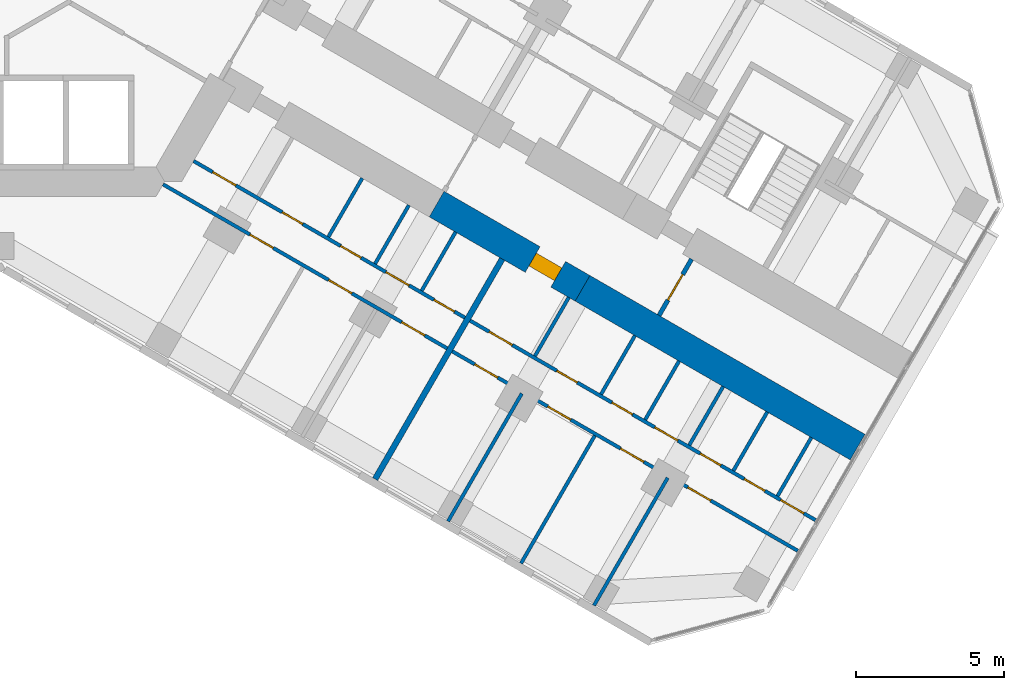
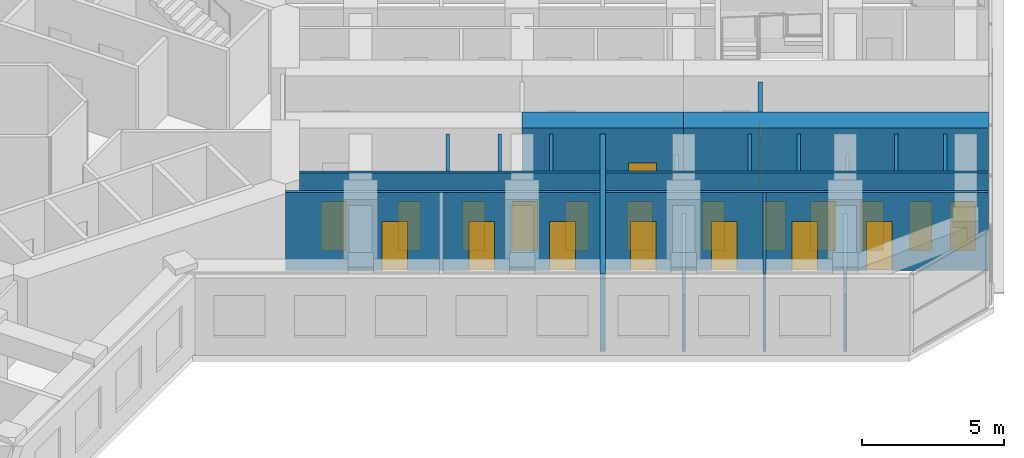
# One storey, part 14 of 21: 21 doors, 20 walls, 21 openings.
"""IFC4 building model written with IfcOpenShell, lengths in metres."""

from ifc_helpers import new_model, si_unit, direction, frame, frame_2d, origin, place, context, subcontext, project, spatial, rectangle, extrude, material, layer, layer_set, type_object, element, fill, save


model = new_model("IFC4")

# Units and contexts
model_context = context("Model", 3, precision=1e-05, world=origin(), true_north=direction((0.0, 1.0)))
body_context = subcontext(model_context, "Body", "Model", "MODEL_VIEW")
ifc_project = project(units=[si_unit("LENGTHUNIT", "METRE"), si_unit("AREAUNIT", "SQUARE_METRE"), si_unit("VOLUMEUNIT", "CUBIC_METRE"), si_unit("PLANEANGLEUNIT", "RADIAN"), si_unit("MASSUNIT", "GRAM", prefix="KILO")], contexts=[model_context])

# Site, building, storey
site_placement = place(None, origin())
site = spatial("IfcSite", under=ifc_project, at=site_placement, CompositionType="ELEMENT")
building_placement = place(site_placement, origin())
building = spatial("IfcBuilding", under=site, at=building_placement, Name="Kosmar Iwan School Tower", CompositionType="ELEMENT")
storey_placement = place(building_placement, frame((0.0, 0.0, 106.0)))
storey = spatial("IfcBuildingStorey", under=building, at=storey_placement, Name="L26", CompositionType="ELEMENT", Elevation=106.0)

# Wall, opening, door
ifc_material_1 = material(Name="Concrete C50/60", Category="concrete")
ifc_layer_1 = layer(ifc_material_1, 1.0)
ifc_layer_set_1 = layer_set([ifc_layer_1], Name="Corridor buttress wall 1000")
wall_type_1 = type_object("IfcWallType", Name="Corridor buttress wall 1000", PredefinedType="SHEAR", material=ifc_layer_set_1)
wall_1_placement = place(storey_placement, frame((14.7451171875, -10.360595703125, 0.0), z_axis=(0.0, 0.0, 1.0), x_axis=(0.866015111908, -0.50001782563, 0.0)))
wall_1 = element("IfcWall", 1, at=wall_1_placement, inside=storey, type_object=wall_type_1, Name="Corridor wall CR bay 2", PredefinedType="SHEAR", context=body_context, shape_type="SweptSolid", body=[
    extrude(rectangle(XDim=5.699951171875, YDim=1.0, at=frame_2d((2.85009765625, 0.0))), origin(), (0.0, 0.0, 1.0), 3.60009765625),
])
opening_1_placement = place(wall_1_placement, frame((3.75, 0.0, 0.0)))
opening_1 = element("IfcOpeningElement", 2, at=opening_1_placement, cuts=wall_1, Name="Opening D1", PredefinedType="OPENING", context=body_context, shape_type="SweptSolid", body=[
    extrude(rectangle(XDim=1.0, YDim=2.10009765625, at=frame_2d((0.5, 1.050048828125))), frame((0.0, 0.511962890625, 0.0), z_axis=(0.0, -1.0, 0.0), x_axis=(1.0, 0.0, 0.0)), (0.0, 0.0, 1.0), 1.02392578125),
])
ifc_material_2 = material(Name="Timber fire door in steel frame", Category="steel")
door_type_1 = type_object("IfcDoorType", Name="Flat entrance door 1000x2100", OperationType="SINGLE_SWING_LEFT", PredefinedType="DOOR", material=ifc_material_2)
door_1_placement = place(opening_1_placement, origin())
door_1 = element("IfcDoor", 3, at=door_1_placement, inside=storey, type_object=door_type_1, Name="Flat L26-CR2 entrance door", OperationType="SINGLE_SWING_RIGHT", OverallHeight=2.10009765625, OverallWidth=1.0, PredefinedType="DOOR", context=body_context, shape_type="SweptSolid", body=[
    extrude(rectangle(XDim=1.0, YDim=2.10009765625, at=frame_2d((0.5, 1.050048828125))), frame((0.0, 0.25, 0.0), z_axis=(0.0, -1.0, 0.0), x_axis=(1.0, 0.0, 0.0)), (0.0, 0.0, 1.0), 0.5),
])
fill(opening_1, door_1)

# Wall
wall_2_placement = place(storey_placement, frame((19.681396484375, -13.210693359375, 0.0), z_axis=(0.0, 0.0, 1.0), x_axis=(0.866028186671, -0.499995179869, 0.0)))
element("IfcWall", 4, at=wall_2_placement, inside=storey, type_object=wall_type_1, Name="Corridor wall CR bay 3", PredefinedType="SHEAR", context=body_context, shape_type="SweptSolid", body=[
    extrude(rectangle(XDim=10.7451171875, YDim=1.0, at=frame_2d((5.37255859375, 0.0))), origin(), (0.0, 0.0, 1.0), 3.60009765625),
])

# Wall, opening, door
ifc_material_3 = material(Name="Gypsum board on steel studs, fire-rated", Category="steel")
ifc_layer_2 = layer(ifc_material_3, 0.14990234375)
ifc_layer_set_2 = layer_set([ifc_layer_2], Name="Corridor end wall 150")
wall_type_2 = type_object("IfcWallType", Name="Corridor end wall 150", PredefinedType="PARTITIONING", material=ifc_layer_set_2)
wall_3_placement = place(storey_placement, frame((22.269775390625, -14.127685546875, 0.0), z_axis=(0.0, 0.0, 1.0), x_axis=(0.50002983664, 0.866008176907, 0.0)))
wall_3 = element("IfcWall", 5, at=wall_3_placement, inside=storey, type_object=wall_type_2, Name="Partition L26-C-CE", PredefinedType="PARTITIONING", context=body_context, shape_type="SweptSolid", body=[
    extrude(rectangle(XDim=2.199951171875, YDim=0.14990234375, at=frame_2d((1.10009765625, 0.0))), origin(), (0.0, 0.0, 1.0), 3.35009765625),
])
opening_2_placement = place(wall_3_placement, frame((0.60009765625, 0.0, 0.0)))
opening_2 = element("IfcOpeningElement", 6, at=opening_2_placement, cuts=wall_3, Name="Opening D13", PredefinedType="OPENING", context=body_context, shape_type="SweptSolid", body=[
    extrude(rectangle(XDim=1.0, YDim=2.10009765625, at=frame_2d((0.5, 1.050048828125))), frame((0.0, 0.0869140625, 0.0), z_axis=(0.0, -1.0, 0.0), x_axis=(1.0, 0.0, 0.0)), (0.0, 0.0, 1.0), 0.173828125),
])
ifc_material_4 = material(Name="Timber fire door with vision panel", Category="wood")
door_type_2 = type_object("IfcDoorType", Name="Corridor end door 1000x2100", OperationType="SINGLE_SWING_LEFT", PredefinedType="DOOR", material=ifc_material_4)
door_2_placement = place(opening_2_placement, origin())
door_2 = element("IfcDoor", 7, at=door_2_placement, inside=storey, type_object=door_type_2, Name="Hobby workshop door L26-C", OperationType="SINGLE_SWING_RIGHT", OverallHeight=2.10009765625, OverallWidth=1.0, PredefinedType="DOOR", context=body_context, shape_type="SweptSolid", body=[
    extrude(rectangle(XDim=1.0, YDim=2.10009765625, at=frame_2d((0.5, 1.050048828125))), frame((0.0, 0.02490234375, 0.0), z_axis=(0.0, -1.0, 0.0), x_axis=(1.0, 0.0, 0.0)), (0.0, 0.0, 1.0), 0.050048828125),
])
fill(opening_2, door_2)

# Wall, openings, doors
ifc_material_5 = material(Name="Gypsum board on steel studs", Category="steel")
ifc_layer_3 = layer(ifc_material_5, 0.1201171875)
ifc_layer_set_3 = layer_set([ifc_layer_3], Name="Dwelling partition 120")
wall_type_3 = type_object("IfcWallType", Name="Dwelling partition 120", PredefinedType="PARTITIONING", material=ifc_layer_set_3)
wall_4_placement = place(storey_placement, frame((6.521728515625, -8.90380859375, 0.0), z_axis=(0.0, 0.0, 1.0), x_axis=(0.866024879913, -0.50000090737, 0.0)))
wall_4 = element("IfcWall", 8, at=wall_4_placement, inside=storey, type_object=wall_type_3, Name="Partition L26-CR1-W1", PredefinedType="PARTITIONING", context=body_context, shape_type="SweptSolid", body=[
    extrude(rectangle(XDim=10.60009765625, YDim=0.1201171875, at=frame_2d((5.300048828125, 0.0))), origin(), (0.0, 0.0, 1.0), 3.35009765625),
])
opening_3_placement = place(wall_4_placement, frame((0.75, 0.0, 0.0)))
opening_3 = element("IfcOpeningElement", 9, at=opening_3_placement, cuts=wall_4, Name="Opening D2", PredefinedType="OPENING", context=body_context, shape_type="SweptSolid", body=[
    extrude(rectangle(XDim=0.89990234375, YDim=2.10009765625, at=frame_2d((0.449951171875, 1.050048828125))), frame((0.0, 0.072021484375, 0.0), z_axis=(0.0, -1.0, 0.0), x_axis=(1.0, 0.0, 0.0)), (0.0, 0.0, 1.0), 0.14404296875),
])
opening_4_placement = place(wall_4_placement, frame((3.466796875, 0.0, 0.0)))
opening_4 = element("IfcOpeningElement", 10, at=opening_4_placement, cuts=wall_4, Name="Opening D3", PredefinedType="OPENING", context=body_context, shape_type="SweptSolid", body=[
    extrude(rectangle(XDim=0.800048828125, YDim=2.10009765625, at=frame_2d((0.39990234375, 1.050048828125))), frame((0.0, 0.072021484375, 0.0), z_axis=(0.0, -1.0, 0.0), x_axis=(1.0, 0.0, 0.0)), (0.0, 0.0, 1.0), 0.14404296875),
])
opening_5_placement = place(wall_4_placement, frame((5.744384765625, 0.0, 0.0)))
opening_5 = element("IfcOpeningElement", 11, at=opening_5_placement, cuts=wall_4, Name="Opening D3", PredefinedType="OPENING", context=body_context, shape_type="SweptSolid", body=[
    extrude(rectangle(XDim=0.800048828125, YDim=2.10009765625, at=frame_2d((0.39990234375, 1.050048828125))), frame((0.0, 0.072021484375, 0.0), z_axis=(0.0, -1.0, 0.0), x_axis=(1.0, 0.0, 0.0)), (0.0, 0.0, 1.0), 0.14404296875),
])
opening_6_placement = place(wall_4_placement, frame((7.5166015625, 0.0, 0.0)))
opening_6 = element("IfcOpeningElement", 12, at=opening_6_placement, cuts=wall_4, Name="Opening D2", PredefinedType="OPENING", context=body_context, shape_type="SweptSolid", body=[
    extrude(rectangle(XDim=0.89990234375, YDim=2.10009765625, at=frame_2d((0.449951171875, 1.050048828125))), frame((0.0, 0.072021484375, 0.0), z_axis=(0.0, -1.0, 0.0), x_axis=(1.0, 0.0, 0.0)), (0.0, 0.0, 1.0), 0.14404296875),
])
opening_7_placement = place(wall_4_placement, frame((9.388916015625, 0.0, 0.0)))
opening_7 = element("IfcOpeningElement", 13, at=opening_7_placement, cuts=wall_4, Name="Opening D3", PredefinedType="OPENING", context=body_context, shape_type="SweptSolid", body=[
    extrude(rectangle(XDim=0.800048828125, YDim=2.10009765625, at=frame_2d((0.39990234375, 1.050048828125))), frame((0.0, 0.072021484375, 0.0), z_axis=(0.0, -1.0, 0.0), x_axis=(1.0, 0.0, 0.0)), (0.0, 0.0, 1.0), 0.14404296875),
])
ifc_material_6 = material(Name="Timber door in timber frame", Category="wood")
door_type_3 = type_object("IfcDoorType", Name="Internal door 900x2100", OperationType="SINGLE_SWING_LEFT", PredefinedType="DOOR", material=ifc_material_6)
door_3_placement = place(opening_3_placement, origin())
door_3 = element("IfcDoor", 14, at=door_3_placement, inside=storey, type_object=door_type_3, Name="Entrance hall door L26-CR1-S1", OperationType="SINGLE_SWING_RIGHT", OverallHeight=2.10009765625, OverallWidth=0.89990234375, PredefinedType="DOOR", context=body_context, shape_type="SweptSolid", body=[
    extrude(rectangle(XDim=0.89990234375, YDim=2.10009765625, at=frame_2d((0.449951171875, 1.050048828125))), frame((0.0, 0.02490234375, 0.0), z_axis=(0.0, -1.0, 0.0), x_axis=(1.0, 0.0, 0.0)), (0.0, 0.0, 1.0), 0.050048828125),
])
fill(opening_3, door_3)
door_4_placement = place(opening_6_placement, origin())
door_4 = element("IfcDoor", 15, at=door_4_placement, inside=storey, type_object=door_type_3, Name="Pantry door L26-CR1-S4", OperationType="SINGLE_SWING_LEFT", OverallHeight=2.10009765625, OverallWidth=0.89990234375, PredefinedType="DOOR", context=body_context, shape_type="SweptSolid", body=[
    extrude(rectangle(XDim=0.89990234375, YDim=2.10009765625, at=frame_2d((0.449951171875, 1.050048828125))), frame((0.0, 0.02490234375, 0.0), z_axis=(0.0, -1.0, 0.0), x_axis=(1.0, 0.0, 0.0)), (0.0, 0.0, 1.0), 0.050048828125),
])
fill(opening_6, door_4)
ifc_material_7 = material(Name="Timber door in timber frame", Category="wood")
door_type_4 = type_object("IfcDoorType", Name="Sanitary room door 800x2100", OperationType="SINGLE_SWING_LEFT", PredefinedType="DOOR", material=ifc_material_7)
door_5_placement = place(opening_4_placement, origin())
door_5 = element("IfcDoor", 16, at=door_5_placement, inside=storey, type_object=door_type_4, Name="Bathroom door L26-CR1-S2", OperationType="SINGLE_SWING_LEFT", OverallHeight=2.10009765625, OverallWidth=0.800048828125, PredefinedType="DOOR", context=body_context, shape_type="SweptSolid", body=[
    extrude(rectangle(XDim=0.800048828125, YDim=2.10009765625, at=frame_2d((0.39990234375, 1.050048828125))), frame((0.0, 0.02490234375, 0.0), z_axis=(0.0, -1.0, 0.0), x_axis=(1.0, 0.0, 0.0)), (0.0, 0.0, 1.0), 0.050048828125),
])
fill(opening_4, door_5)
door_6_placement = place(opening_5_placement, origin())
door_6 = element("IfcDoor", 17, at=door_6_placement, inside=storey, type_object=door_type_4, Name="Shower room door L26-CR1-S3", OperationType="SINGLE_SWING_RIGHT", OverallHeight=2.10009765625, OverallWidth=0.800048828125, PredefinedType="DOOR", context=body_context, shape_type="SweptSolid", body=[
    extrude(rectangle(XDim=0.800048828125, YDim=2.10009765625, at=frame_2d((0.39990234375, 1.050048828125))), frame((0.0, 0.02490234375, 0.0), z_axis=(0.0, -1.0, 0.0), x_axis=(1.0, 0.0, 0.0)), (0.0, 0.0, 1.0), 0.050048828125),
])
fill(opening_5, door_6)
door_7_placement = place(opening_7_placement, origin())
door_7 = element("IfcDoor", 18, at=door_7_placement, inside=storey, type_object=door_type_4, Name="WC door L26-CR1-S5", OperationType="SINGLE_SWING_RIGHT", OverallHeight=2.10009765625, OverallWidth=0.800048828125, PredefinedType="DOOR", context=body_context, shape_type="SweptSolid", body=[
    extrude(rectangle(XDim=0.800048828125, YDim=2.10009765625, at=frame_2d((0.39990234375, 1.050048828125))), frame((0.0, 0.02490234375, 0.0), z_axis=(0.0, -1.0, 0.0), x_axis=(1.0, 0.0, 0.0)), (0.0, 0.0, 1.0), 0.050048828125),
])
fill(opening_7, door_7)

wall_5_placement = place(storey_placement, frame((5.48876953125, -9.693115234375, 0.0), z_axis=(0.0, 0.0, 1.0), x_axis=(0.866026992824, -0.499997247692, 0.0)))
wall_5 = element("IfcWall", 19, at=wall_5_placement, inside=storey, type_object=wall_type_3, Name="Partition L26-CR1-W2", PredefinedType="PARTITIONING", context=body_context, shape_type="SweptSolid", body=[
    extrude(rectangle(XDim=11.10009765625, YDim=0.1201171875, at=frame_2d((5.550048828125, 0.0))), origin(), (0.0, 0.0, 1.0), 3.35009765625),
])
opening_8_placement = place(wall_5_placement, frame((3.39990234375, 0.0, 0.0)))
opening_8 = element("IfcOpeningElement", 20, at=opening_8_placement, cuts=wall_5, Name="Opening D2", PredefinedType="OPENING", context=body_context, shape_type="SweptSolid", body=[
    extrude(rectangle(XDim=0.89990234375, YDim=2.10009765625, at=frame_2d((0.449951171875, 1.050048828125))), frame((0.0, 0.072021484375, 0.0), z_axis=(0.0, -1.0, 0.0), x_axis=(1.0, 0.0, 0.0)), (0.0, 0.0, 1.0), 0.14404296875),
])
opening_9_placement = place(wall_5_placement, frame((6.47509765625, 0.0, 0.0)))
opening_9 = element("IfcOpeningElement", 21, at=opening_9_placement, cuts=wall_5, Name="Opening D2", PredefinedType="OPENING", context=body_context, shape_type="SweptSolid", body=[
    extrude(rectangle(XDim=0.89990234375, YDim=2.10009765625, at=frame_2d((0.449951171875, 1.050048828125))), frame((0.0, 0.072021484375, 0.0), z_axis=(0.0, -1.0, 0.0), x_axis=(1.0, 0.0, 0.0)), (0.0, 0.0, 1.0), 0.14404296875),
])
opening_10_placement = place(wall_5_placement, frame((9.324951171875, 0.0, 0.0)))
opening_10 = element("IfcOpeningElement", 22, at=opening_10_placement, cuts=wall_5, Name="Opening D2", PredefinedType="OPENING", context=body_context, shape_type="SweptSolid", body=[
    extrude(rectangle(XDim=0.89990234375, YDim=2.10009765625, at=frame_2d((0.449951171875, 1.050048828125))), frame((0.0, 0.072021484375, 0.0), z_axis=(0.0, -1.0, 0.0), x_axis=(1.0, 0.0, 0.0)), (0.0, 0.0, 1.0), 0.14404296875),
])
door_8_placement = place(opening_8_placement, origin())
door_8 = element("IfcDoor", 23, at=door_8_placement, inside=storey, type_object=door_type_3, Name="Living room and kitchen door L26-CR1-F1", OperationType="SINGLE_SWING_LEFT", OverallHeight=2.10009765625, OverallWidth=0.89990234375, PredefinedType="DOOR", context=body_context, shape_type="SweptSolid", body=[
    extrude(rectangle(XDim=0.89990234375, YDim=2.10009765625, at=frame_2d((0.449951171875, 1.050048828125))), frame((0.0, 0.02490234375, 0.0), z_axis=(0.0, -1.0, 0.0), x_axis=(1.0, 0.0, 0.0)), (0.0, 0.0, 1.0), 0.050048828125),
])
fill(opening_8, door_8)
door_9_placement = place(opening_9_placement, origin())
door_9 = element("IfcDoor", 24, at=door_9_placement, inside=storey, type_object=door_type_3, Name="Bedroom 1 door L26-CR1-F2", OperationType="SINGLE_SWING_RIGHT", OverallHeight=2.10009765625, OverallWidth=0.89990234375, PredefinedType="DOOR", context=body_context, shape_type="SweptSolid", body=[
    extrude(rectangle(XDim=0.89990234375, YDim=2.10009765625, at=frame_2d((0.449951171875, 1.050048828125))), frame((0.0, 0.02490234375, 0.0), z_axis=(0.0, -1.0, 0.0), x_axis=(1.0, 0.0, 0.0)), (0.0, 0.0, 1.0), 0.050048828125),
])
fill(opening_9, door_9)
door_10_placement = place(opening_10_placement, origin())
door_10 = element("IfcDoor", 25, at=door_10_placement, inside=storey, type_object=door_type_3, Name="Bedroom 2 door L26-CR1-F3", OperationType="SINGLE_SWING_RIGHT", OverallHeight=2.10009765625, OverallWidth=0.89990234375, PredefinedType="DOOR", context=body_context, shape_type="SweptSolid", body=[
    extrude(rectangle(XDim=0.89990234375, YDim=2.10009765625, at=frame_2d((0.449951171875, 1.050048828125))), frame((0.0, 0.02490234375, 0.0), z_axis=(0.0, -1.0, 0.0), x_axis=(1.0, 0.0, 0.0)), (0.0, 0.0, 1.0), 0.050048828125),
])
fill(opening_10, door_10)

# Walls
for number, where, z_axis, x_axis, name in (
    (26, (12.22900390625, -9.4853515625, 0.0), (0.0, 0.0, 1.0), (-0.500014693593, -0.866016920268, 0.0), "Partition L26-CR1-Y2"),
    (27, (13.80712890625, -10.396484375, 0.0), (0.0, 0.0, 1.0), (-0.500014693593, -0.866016920268, 0.0), "Partition L26-CR1-Y3"),
    (28, (15.38525390625, -11.3076171875, 0.0), (0.0, 0.0, 1.0), (-0.500014693593, -0.866016920268, 0.0), "Partition L26-CR1-Y4"),
):
    element("IfcWall", number, at=place(storey_placement, frame(where, z_axis=z_axis, x_axis=x_axis)), inside=storey, type_object=wall_type_3, Name=name, PredefinedType="PARTITIONING", context=body_context, shape_type="SweptSolid", body=[
        extrude(rectangle(XDim=2.2900390625, YDim=0.1201171875, at=frame_2d((1.14501953125, 0.0))), origin(), (0.0, 0.0, 1.0), 3.35009765625),
    ])

# Wall, openings, doors
wall_6_placement = place(storey_placement, frame((15.875, -14.3037109375, 0.0), z_axis=(0.0, 0.0, 1.0), x_axis=(0.866023503214, -0.50000329187, 0.0)))
wall_6 = element("IfcWall", 29, at=wall_6_placement, inside=storey, type_object=wall_type_3, Name="Partition L26-CR2-W1", PredefinedType="PARTITIONING", context=body_context, shape_type="SweptSolid", body=[
    extrude(rectangle(XDim=13.4951171875, YDim=0.1201171875, at=frame_2d((6.74755859375, 0.0))), origin(), (0.0, 0.0, 1.0), 3.35009765625),
])
opening_11_placement = place(wall_6_placement, frame((0.75, 0.0, 0.0)))
opening_11 = element("IfcOpeningElement", 30, at=opening_11_placement, cuts=wall_6, Name="Opening D2", PredefinedType="OPENING", context=body_context, shape_type="SweptSolid", body=[
    extrude(rectangle(XDim=0.89990234375, YDim=2.10009765625, at=frame_2d((0.449951171875, 1.050048828125))), frame((0.0, 0.072021484375, 0.0), z_axis=(0.0, -1.0, 0.0), x_axis=(1.0, 0.0, 0.0)), (0.0, 0.0, 1.0), 0.14404296875),
])
opening_12_placement = place(wall_6_placement, frame((3.392333984375, 0.0, 0.0)))
opening_12 = element("IfcOpeningElement", 31, at=opening_12_placement, cuts=wall_6, Name="Opening D3", PredefinedType="OPENING", context=body_context, shape_type="SweptSolid", body=[
    extrude(rectangle(XDim=0.800048828125, YDim=2.10009765625, at=frame_2d((0.39990234375, 1.050048828125))), frame((0.0, 0.072021484375, 0.0), z_axis=(0.0, -1.0, 0.0), x_axis=(1.0, 0.0, 0.0)), (0.0, 0.0, 1.0), 0.14404296875),
])
opening_13_placement = place(wall_6_placement, frame((5.546142578125, 0.0, 0.0)))
opening_13 = element("IfcOpeningElement", 32, at=opening_13_placement, cuts=wall_6, Name="Opening D3", PredefinedType="OPENING", context=body_context, shape_type="SweptSolid", body=[
    extrude(rectangle(XDim=0.800048828125, YDim=2.10009765625, at=frame_2d((0.39990234375, 1.050048828125))), frame((0.0, 0.072021484375, 0.0), z_axis=(0.0, -1.0, 0.0), x_axis=(1.0, 0.0, 0.0)), (0.0, 0.0, 1.0), 0.14404296875),
])
opening_14_placement = place(wall_6_placement, frame((7.21923828125, 0.0, 0.0)))
opening_14 = element("IfcOpeningElement", 33, at=opening_14_placement, cuts=wall_6, Name="Opening D2", PredefinedType="OPENING", context=body_context, shape_type="SweptSolid", body=[
    extrude(rectangle(XDim=0.89990234375, YDim=2.10009765625, at=frame_2d((0.449951171875, 1.050048828125))), frame((0.0, 0.072021484375, 0.0), z_axis=(0.0, -1.0, 0.0), x_axis=(1.0, 0.0, 0.0)), (0.0, 0.0, 1.0), 0.14404296875),
])
opening_15_placement = place(wall_6_placement, frame((8.992431640625, 0.0, 0.0)))
opening_15 = element("IfcOpeningElement", 34, at=opening_15_placement, cuts=wall_6, Name="Opening D3", PredefinedType="OPENING", context=body_context, shape_type="SweptSolid", body=[
    extrude(rectangle(XDim=0.800048828125, YDim=2.10009765625, at=frame_2d((0.39990234375, 1.050048828125))), frame((0.0, 0.072021484375, 0.0), z_axis=(0.0, -1.0, 0.0), x_axis=(1.0, 0.0, 0.0)), (0.0, 0.0, 1.0), 0.14404296875),
])
opening_16_placement = place(wall_6_placement, frame((10.71533203125, 0.0, 0.0)))
opening_16 = element("IfcOpeningElement", 35, at=opening_16_placement, cuts=wall_6, Name="Opening D3", PredefinedType="OPENING", context=body_context, shape_type="SweptSolid", body=[
    extrude(rectangle(XDim=0.800048828125, YDim=2.10009765625, at=frame_2d((0.39990234375, 1.050048828125))), frame((0.0, 0.072021484375, 0.0), z_axis=(0.0, -1.0, 0.0), x_axis=(1.0, 0.0, 0.0)), (0.0, 0.0, 1.0), 0.14404296875),
])
opening_17_placement = place(wall_6_placement, frame((12.136962890625, 0.0, 0.0)))
opening_17 = element("IfcOpeningElement", 36, at=opening_17_placement, cuts=wall_6, Name="Opening D2", PredefinedType="OPENING", context=body_context, shape_type="SweptSolid", body=[
    extrude(rectangle(XDim=0.89990234375, YDim=2.10009765625, at=frame_2d((0.449951171875, 1.050048828125))), frame((0.0, 0.072021484375, 0.0), z_axis=(0.0, -1.0, 0.0), x_axis=(1.0, 0.0, 0.0)), (0.0, 0.0, 1.0), 0.14404296875),
])
door_11_placement = place(opening_11_placement, origin())
door_11 = element("IfcDoor", 37, at=door_11_placement, inside=storey, type_object=door_type_3, Name="Entrance hall door L26-CR2-S1", OperationType="SINGLE_SWING_RIGHT", OverallHeight=2.10009765625, OverallWidth=0.89990234375, PredefinedType="DOOR", context=body_context, shape_type="SweptSolid", body=[
    extrude(rectangle(XDim=0.89990234375, YDim=2.10009765625, at=frame_2d((0.449951171875, 1.050048828125))), frame((0.0, 0.02490234375, 0.0), z_axis=(0.0, -1.0, 0.0), x_axis=(1.0, 0.0, 0.0)), (0.0, 0.0, 1.0), 0.050048828125),
])
fill(opening_11, door_11)
door_12_placement = place(opening_14_placement, origin())
door_12 = element("IfcDoor", 38, at=door_12_placement, inside=storey, type_object=door_type_3, Name="Pantry door L26-CR2-S4", OperationType="SINGLE_SWING_LEFT", OverallHeight=2.10009765625, OverallWidth=0.89990234375, PredefinedType="DOOR", context=body_context, shape_type="SweptSolid", body=[
    extrude(rectangle(XDim=0.89990234375, YDim=2.10009765625, at=frame_2d((0.449951171875, 1.050048828125))), frame((0.0, 0.02490234375, 0.0), z_axis=(0.0, -1.0, 0.0), x_axis=(1.0, 0.0, 0.0)), (0.0, 0.0, 1.0), 0.050048828125),
])
fill(opening_14, door_12)
door_13_placement = place(opening_17_placement, origin())
door_13 = element("IfcDoor", 39, at=door_13_placement, inside=storey, type_object=door_type_3, Name="Utility room door L26-CR2-S7", OperationType="SINGLE_SWING_LEFT", OverallHeight=2.10009765625, OverallWidth=0.89990234375, PredefinedType="DOOR", context=body_context, shape_type="SweptSolid", body=[
    extrude(rectangle(XDim=0.89990234375, YDim=2.10009765625, at=frame_2d((0.449951171875, 1.050048828125))), frame((0.0, 0.02490234375, 0.0), z_axis=(0.0, -1.0, 0.0), x_axis=(1.0, 0.0, 0.0)), (0.0, 0.0, 1.0), 0.050048828125),
])
fill(opening_17, door_13)
door_14_placement = place(opening_12_placement, origin())
door_14 = element("IfcDoor", 40, at=door_14_placement, inside=storey, type_object=door_type_4, Name="Bathroom door L26-CR2-S2", OperationType="SINGLE_SWING_LEFT", OverallHeight=2.10009765625, OverallWidth=0.800048828125, PredefinedType="DOOR", context=body_context, shape_type="SweptSolid", body=[
    extrude(rectangle(XDim=0.800048828125, YDim=2.10009765625, at=frame_2d((0.39990234375, 1.050048828125))), frame((0.0, 0.02490234375, 0.0), z_axis=(0.0, -1.0, 0.0), x_axis=(1.0, 0.0, 0.0)), (0.0, 0.0, 1.0), 0.050048828125),
])
fill(opening_12, door_14)
door_15_placement = place(opening_13_placement, origin())
door_15 = element("IfcDoor", 41, at=door_15_placement, inside=storey, type_object=door_type_4, Name="Shower room door L26-CR2-S3", OperationType="SINGLE_SWING_RIGHT", OverallHeight=2.10009765625, OverallWidth=0.800048828125, PredefinedType="DOOR", context=body_context, shape_type="SweptSolid", body=[
    extrude(rectangle(XDim=0.800048828125, YDim=2.10009765625, at=frame_2d((0.39990234375, 1.050048828125))), frame((0.0, 0.02490234375, 0.0), z_axis=(0.0, -1.0, 0.0), x_axis=(1.0, 0.0, 0.0)), (0.0, 0.0, 1.0), 0.050048828125),
])
fill(opening_13, door_15)
door_16_placement = place(opening_15_placement, origin())
door_16 = element("IfcDoor", 42, at=door_16_placement, inside=storey, type_object=door_type_4, Name="WC door L26-CR2-S5", OperationType="SINGLE_SWING_RIGHT", OverallHeight=2.10009765625, OverallWidth=0.800048828125, PredefinedType="DOOR", context=body_context, shape_type="SweptSolid", body=[
    extrude(rectangle(XDim=0.800048828125, YDim=2.10009765625, at=frame_2d((0.39990234375, 1.050048828125))), frame((0.0, 0.02490234375, 0.0), z_axis=(0.0, -1.0, 0.0), x_axis=(1.0, 0.0, 0.0)), (0.0, 0.0, 1.0), 0.050048828125),
])
fill(opening_15, door_16)
door_17_placement = place(opening_16_placement, origin())
door_17 = element("IfcDoor", 43, at=door_17_placement, inside=storey, type_object=door_type_4, Name="Store door L26-CR2-S6", OperationType="SINGLE_SWING_LEFT", OverallHeight=2.10009765625, OverallWidth=0.800048828125, PredefinedType="DOOR", context=body_context, shape_type="SweptSolid", body=[
    extrude(rectangle(XDim=0.800048828125, YDim=2.10009765625, at=frame_2d((0.39990234375, 1.050048828125))), frame((0.0, 0.02490234375, 0.0), z_axis=(0.0, -1.0, 0.0), x_axis=(1.0, 0.0, 0.0)), (0.0, 0.0, 1.0), 0.050048828125),
])
fill(opening_16, door_17)

wall_7_placement = place(storey_placement, frame((15.27490234375, -15.343017578125, 0.0), z_axis=(0.0, 0.0, 1.0), x_axis=(0.866023503214, -0.50000329187, 0.0)))
wall_7 = element("IfcWall", 44, at=wall_7_placement, inside=storey, type_object=wall_type_3, Name="Partition L26-CR2-W2", PredefinedType="PARTITIONING", context=body_context, shape_type="SweptSolid", body=[
    extrude(rectangle(XDim=13.4951171875, YDim=0.1201171875, at=frame_2d((6.74755859375, 0.0))), origin(), (0.0, 0.0, 1.0), 3.35009765625),
])
opening_18_placement = place(wall_7_placement, frame((0.875, 0.0, 0.0)))
opening_18 = element("IfcOpeningElement", 45, at=opening_18_placement, cuts=wall_7, Name="Opening D2", PredefinedType="OPENING", context=body_context, shape_type="SweptSolid", body=[
    extrude(rectangle(XDim=0.89990234375, YDim=2.10009765625, at=frame_2d((0.449951171875, 1.050048828125))), frame((0.0, 0.072021484375, 0.0), z_axis=(0.0, -1.0, 0.0), x_axis=(1.0, 0.0, 0.0)), (0.0, 0.0, 1.0), 0.14404296875),
])
opening_19_placement = place(wall_7_placement, frame((3.72509765625, 0.0, 0.0)))
opening_19 = element("IfcOpeningElement", 46, at=opening_19_placement, cuts=wall_7, Name="Opening D2", PredefinedType="OPENING", context=body_context, shape_type="SweptSolid", body=[
    extrude(rectangle(XDim=0.89990234375, YDim=2.10009765625, at=frame_2d((0.449951171875, 1.050048828125))), frame((0.0, 0.072021484375, 0.0), z_axis=(0.0, -1.0, 0.0), x_axis=(1.0, 0.0, 0.0)), (0.0, 0.0, 1.0), 0.14404296875),
])
opening_20_placement = place(wall_7_placement, frame((6.574951171875, 0.0, 0.0)))
opening_20 = element("IfcOpeningElement", 47, at=opening_20_placement, cuts=wall_7, Name="Opening D2", PredefinedType="OPENING", context=body_context, shape_type="SweptSolid", body=[
    extrude(rectangle(XDim=0.89990234375, YDim=2.10009765625, at=frame_2d((0.449951171875, 1.050048828125))), frame((0.0, 0.072021484375, 0.0), z_axis=(0.0, -1.0, 0.0), x_axis=(1.0, 0.0, 0.0)), (0.0, 0.0, 1.0), 0.14404296875),
])
opening_21_placement = place(wall_7_placement, frame((9.199951171875, 0.0, 0.0)))
opening_21 = element("IfcOpeningElement", 48, at=opening_21_placement, cuts=wall_7, Name="Opening D2", PredefinedType="OPENING", context=body_context, shape_type="SweptSolid", body=[
    extrude(rectangle(XDim=0.89990234375, YDim=2.10009765625, at=frame_2d((0.449951171875, 1.050048828125))), frame((0.0, 0.072021484375, 0.0), z_axis=(0.0, -1.0, 0.0), x_axis=(1.0, 0.0, 0.0)), (0.0, 0.0, 1.0), 0.14404296875),
])
door_18_placement = place(opening_18_placement, origin())
door_18 = element("IfcDoor", 49, at=door_18_placement, inside=storey, type_object=door_type_3, Name="Bedroom 1 door L26-CR2-F1", OperationType="SINGLE_SWING_LEFT", OverallHeight=2.10009765625, OverallWidth=0.89990234375, PredefinedType="DOOR", context=body_context, shape_type="SweptSolid", body=[
    extrude(rectangle(XDim=0.89990234375, YDim=2.10009765625, at=frame_2d((0.449951171875, 1.050048828125))), frame((0.0, 0.02490234375, 0.0), z_axis=(0.0, -1.0, 0.0), x_axis=(1.0, 0.0, 0.0)), (0.0, 0.0, 1.0), 0.050048828125),
])
fill(opening_18, door_18)
door_19_placement = place(opening_19_placement, origin())
door_19 = element("IfcDoor", 50, at=door_19_placement, inside=storey, type_object=door_type_3, Name="Winter garden door L26-CR2-F2", OperationType="SINGLE_SWING_LEFT", OverallHeight=2.10009765625, OverallWidth=0.89990234375, PredefinedType="DOOR", context=body_context, shape_type="SweptSolid", body=[
    extrude(rectangle(XDim=0.89990234375, YDim=2.10009765625, at=frame_2d((0.449951171875, 1.050048828125))), frame((0.0, 0.02490234375, 0.0), z_axis=(0.0, -1.0, 0.0), x_axis=(1.0, 0.0, 0.0)), (0.0, 0.0, 1.0), 0.050048828125),
])
fill(opening_19, door_19)
door_20_placement = place(opening_20_placement, origin())
door_20 = element("IfcDoor", 51, at=door_20_placement, inside=storey, type_object=door_type_3, Name="Bedroom 2 door L26-CR2-F3", OperationType="SINGLE_SWING_RIGHT", OverallHeight=2.10009765625, OverallWidth=0.89990234375, PredefinedType="DOOR", context=body_context, shape_type="SweptSolid", body=[
    extrude(rectangle(XDim=0.89990234375, YDim=2.10009765625, at=frame_2d((0.449951171875, 1.050048828125))), frame((0.0, 0.02490234375, 0.0), z_axis=(0.0, -1.0, 0.0), x_axis=(1.0, 0.0, 0.0)), (0.0, 0.0, 1.0), 0.050048828125),
])
fill(opening_20, door_20)
door_21_placement = place(opening_21_placement, origin())
door_21 = element("IfcDoor", 52, at=door_21_placement, inside=storey, type_object=door_type_3, Name="Living room and kitchen door L26-CR2-F4", OperationType="SINGLE_SWING_RIGHT", OverallHeight=2.10009765625, OverallWidth=0.89990234375, PredefinedType="DOOR", context=body_context, shape_type="SweptSolid", body=[
    extrude(rectangle(XDim=0.89990234375, YDim=2.10009765625, at=frame_2d((0.449951171875, 1.050048828125))), frame((0.0, 0.02490234375, 0.0), z_axis=(0.0, -1.0, 0.0), x_axis=(1.0, 0.0, 0.0)), (0.0, 0.0, 1.0), 0.050048828125),
])
fill(opening_21, door_21)

# Walls
wall_8_placement = place(storey_placement, frame((17.62646484375, -16.77001953125, 0.0), z_axis=(0.0, 0.0, 1.0), x_axis=(-0.499975153383, -0.86603974851, 0.0)))
element("IfcWall", 53, at=wall_8_placement, inside=storey, type_object=wall_type_3, Name="Partition L26-CR2-X1", PredefinedType="PARTITIONING", context=body_context, shape_type="SweptSolid", body=[
    extrude(rectangle(XDim=4.989990234375, YDim=0.1201171875, at=frame_2d((2.4951171875, 0.0))), origin(), (0.0, 0.0, 1.0), 2.449951171875),
])
wall_9_placement = place(storey_placement, frame((20.0947265625, -18.195068359375, 0.0), z_axis=(0.0, 0.0, 1.0), x_axis=(-0.500011847778, -0.866018563358, 0.0)))
element("IfcWall", 54, at=wall_9_placement, inside=storey, type_object=wall_type_3, Name="Partition L26-CR2-X2", PredefinedType="PARTITIONING", context=body_context, shape_type="SweptSolid", body=[
    extrude(rectangle(XDim=4.990234375, YDim=0.1201171875, at=frame_2d((2.4951171875, 0.0))), origin(), (0.0, 0.0, 1.0), 3.35009765625),
])
wall_10_placement = place(storey_placement, frame((22.562744140625, -19.6201171875, 0.0), z_axis=(0.0, 0.0, 1.0), x_axis=(-0.499996339024, -0.86602751744, 0.0)))
element("IfcWall", 55, at=wall_10_placement, inside=storey, type_object=wall_type_3, Name="Partition L26-CR2-X3", PredefinedType="PARTITIONING", context=body_context, shape_type="SweptSolid", body=[
    extrude(rectangle(XDim=4.98974609375, YDim=0.1201171875, at=frame_2d((2.494873046875, 0.0))), origin(), (0.0, 0.0, 1.0), 2.449951171875),
])
wall_11_placement = place(storey_placement, frame((19.215087890625, -13.5185546875, 0.0), z_axis=(0.0, 0.0, 1.0), x_axis=(-0.499968531483, -0.866043571379, 0.0)))
element("IfcWall", 56, at=wall_11_placement, inside=storey, type_object=wall_type_3, Name="Partition L26-CR2-Y1", PredefinedType="PARTITIONING", context=body_context, shape_type="SweptSolid", body=[
    extrude(rectangle(XDim=2.290283203125, YDim=0.1201171875, at=frame_2d((1.14501953125, 0.0))), origin(), (0.0, 0.0, 1.0), 2.449951171875),
])
for number, where, z_axis, x_axis, name in (
    (57, (21.453369140625, -14.81103515625, 0.0), (0.0, 0.0, 1.0), (-0.500014693593, -0.866016920268, 0.0), "Partition L26-CR2-Y2"),
    (58, (22.945556640625, -15.672607421875, 0.0), (0.0, 0.0, 1.0), (-0.500014693593, -0.866016920268, 0.0), "Partition L26-CR2-Y3"),
):
    element("IfcWall", number, at=place(storey_placement, frame(where, z_axis=z_axis, x_axis=x_axis)), inside=storey, type_object=wall_type_3, Name=name, PredefinedType="PARTITIONING", context=body_context, shape_type="SweptSolid", body=[
        extrude(rectangle(XDim=2.2900390625, YDim=0.1201171875, at=frame_2d((1.14501953125, 0.0))), origin(), (0.0, 0.0, 1.0), 3.35009765625),
    ])
wall_12_placement = place(storey_placement, frame((24.437744140625, -16.533935546875, 0.0), z_axis=(0.0, 0.0, 1.0), x_axis=(-0.499968531483, -0.866043571379, 0.0)))
element("IfcWall", 59, at=wall_12_placement, inside=storey, type_object=wall_type_3, Name="Partition L26-CR2-Y4", PredefinedType="PARTITIONING", context=body_context, shape_type="SweptSolid", body=[
    extrude(rectangle(XDim=2.290283203125, YDim=0.1201171875, at=frame_2d((1.14501953125, 0.0))), origin(), (0.0, 0.0, 1.0), 2.449951171875),
])
for number, where, z_axis, x_axis, name in (
    (60, (25.929931640625, -17.3955078125, 0.0), (0.0, 0.0, 1.0), (-0.500014693593, -0.866016920268, 0.0), "Partition L26-CR2-Y5"),
    (61, (27.42236328125, -18.257080078125, 0.0), (0.0, 0.0, 1.0), (-0.500014693593, -0.866016920268, 0.0), "Partition L26-CR2-Y6"),
):
    element("IfcWall", number, at=place(storey_placement, frame(where, z_axis=z_axis, x_axis=x_axis)), inside=storey, type_object=wall_type_3, Name=name, PredefinedType="PARTITIONING", context=body_context, shape_type="SweptSolid", body=[
        extrude(rectangle(XDim=2.2900390625, YDim=0.1201171875, at=frame_2d((1.14501953125, 0.0))), origin(), (0.0, 0.0, 1.0), 3.35009765625),
    ])
ifc_material_8 = material(Name="Concrete block masonry", Category="masonry")
ifc_layer_4 = layer(ifc_material_8, 0.199951171875)
ifc_layer_set_4 = layer_set([ifc_layer_4], Name="Party wall 200")
wall_type_4 = type_object("IfcWallType", Name="Party wall 200", PredefinedType="PARTITIONING", material=ifc_layer_set_4)
wall_13_placement = place(storey_placement, frame((16.96337890625, -12.21875, 0.0), z_axis=(0.0, 0.0, 1.0), x_axis=(-0.500007509209, -0.866021068297, 0.0)))
element("IfcWall", 62, at=wall_13_placement, inside=storey, type_object=wall_type_4, Name="Partition L26-CR2-PW", PredefinedType="PARTITIONING", context=body_context, shape_type="SweptSolid", body=[
    extrude(rectangle(XDim=8.599853515625, YDim=0.199951171875, at=frame_2d((4.2998046875, 0.0))), origin(), (0.0, 0.0, 1.0), 3.35009765625),
])

save(model, "model.ifc")
